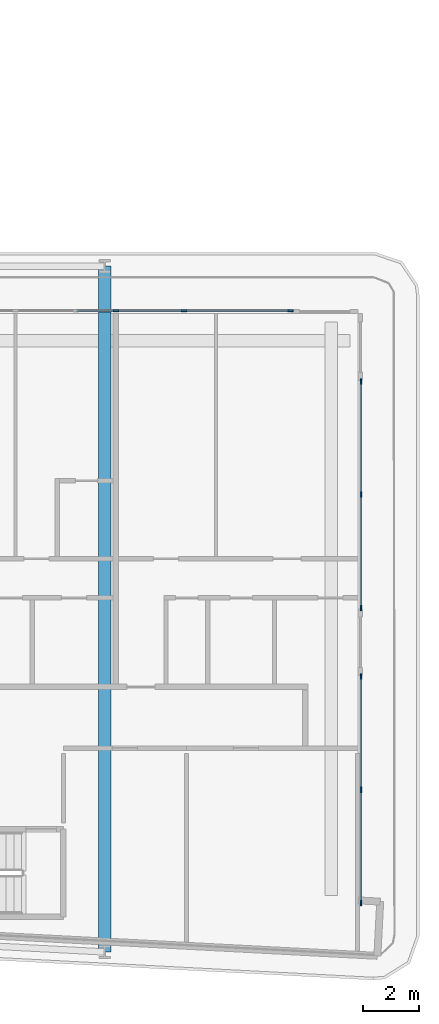
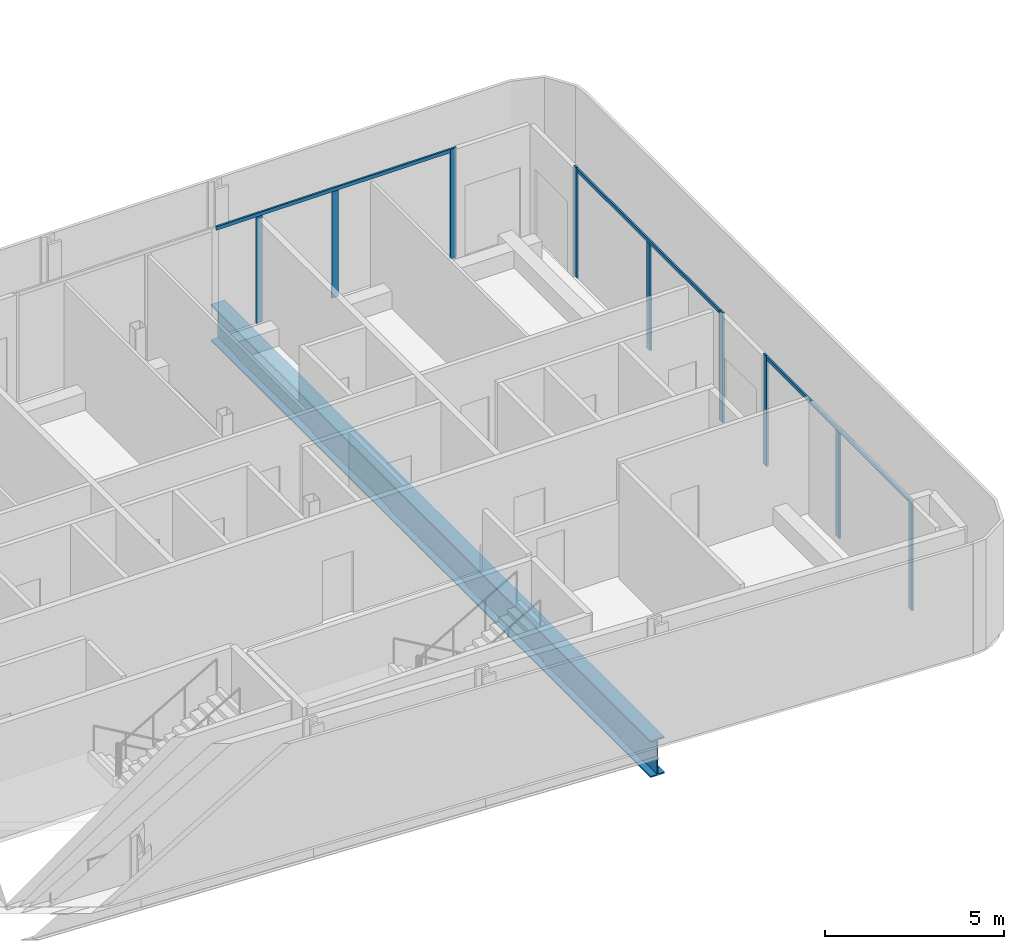
# One storey, part 8 of 28: 12 members, 1 beam, 3 elements without a shape of their own.
"""IFC4 building model written with IfcOpenShell, lengths in metres."""

from ifc_helpers import new_model, si_unit, direction, frame, origin, origin_2d, place, context, subcontext, project, spatial, rectangle, i_section, extrude, material, layer, layer_set, material_profile, profile_set, type_object, element, aggregate, save


model = new_model("IFC4")

# Units and contexts
model_context = context("Model", 3, precision=1e-05, world=origin(), true_north=direction((0.0, 1.0)))
body_context = subcontext(model_context, "Body", "Model", "MODEL_VIEW")
ifc_project = project(units=[si_unit("LENGTHUNIT", "METRE"), si_unit("AREAUNIT", "SQUARE_METRE"), si_unit("VOLUMEUNIT", "CUBIC_METRE"), si_unit("PLANEANGLEUNIT", "RADIAN"), si_unit("MASSUNIT", "GRAM", prefix="KILO")], contexts=[model_context])

# Site, building, storey
site_placement = place(None, origin())
site = spatial("IfcSite", under=ifc_project, at=site_placement, CompositionType="ELEMENT")
building_placement = place(site_placement, origin())
building = spatial("IfcBuilding", under=site, at=building_placement, Name="Kheshtan School and Residences Tower", CompositionType="ELEMENT")
storey_placement = place(building_placement, frame((0.0, 0.0, 73.39990234375)))
storey = spatial("IfcBuildingStorey", under=building, at=storey_placement, Name="L17", CompositionType="ELEMENT", Elevation=73.39990234375)

# Curtain wall, members
ifc_material_1 = material(Name="Clear low-e glass in thermally broken aluminium frame", Category="aluminium")
ifc_layer = layer(ifc_material_1, 0.199951171875)
ifc_layer_set = layer_set([ifc_layer], Name="Curtain wall CW-L")
curtain_wall_type = type_object("IfcCurtainWallType", Name="Curtain wall CW-L", PredefinedType="NOTDEFINED", material=ifc_layer_set)
curtain_wall_1_placement = place(storey_placement, origin())
curtain_wall_1 = element("IfcCurtainWall", 1, at=curtain_wall_1_placement, inside=storey, type_object=curtain_wall_type, Name="Curtain wall CWL12k", PredefinedType="NOTDEFINED")
ifc_material_2 = material(Name="Thermally broken aluminium, dark bronze anodised", Category="aluminium")
ifc_material_profile_1 = material_profile(ifc_material_2, rectangle(XDim=0.06005859375, YDim=0.199951171875, at=origin_2d()), Name="CW-L mullion 60x200")
ifc_profile_set_1 = profile_set([ifc_material_profile_1], Name="Thermally broken aluminium, dark bronze anodised")
member_type_1 = type_object("IfcMemberType", Name="CW-L mullion 60x200", PredefinedType="MULLION", material=ifc_profile_set_1)
member_1_placement = place(storey_placement, frame((91.199951171875, 44.0, 0.0), z_axis=(0.0, 0.0, 1.0), x_axis=(0.0, 1.0, 0.0)))
member_1 = element("IfcMember", 2, at=member_1_placement, type_object=member_type_1, Name="CWL12k mullion 2", PredefinedType="MULLION", context=body_context, shape_type="SweptSolid", body=[
    extrude(rectangle(XDim=0.06005859375, YDim=0.199951171875, at=origin_2d()), origin(), (0.0, 0.0, 1.0), 3.630126953125),
])
member_2_placement = place(storey_placement, frame((93.653076171875, 44.0, 0.0), z_axis=(0.0, 0.0, 1.0), x_axis=(0.0, 1.0, 0.0)))
member_2 = element("IfcMember", 3, at=member_2_placement, type_object=member_type_1, Name="CWL12k mullion 3", PredefinedType="MULLION", context=body_context, shape_type="SweptSolid", body=[
    extrude(rectangle(XDim=0.06005859375, YDim=0.199951171875, at=origin_2d()), origin(), (0.0, 0.0, 1.0), 3.630126953125),
])
member_3_placement = place(storey_placement, frame((97.469970703125, 44.0, 0.0), z_axis=(0.0, 0.0, 1.0), x_axis=(0.0, 1.0, 0.0)))
member_3 = element("IfcMember", 4, at=member_3_placement, type_object=member_type_1, Name="CWL12k mullion 4", PredefinedType="MULLION", context=body_context, shape_type="SweptSolid", body=[
    extrude(rectangle(XDim=0.06005859375, YDim=0.199951171875, at=origin_2d()), origin(), (0.0, 0.0, 1.0), 3.75),
])

curtain_wall_2_placement = place(storey_placement, origin())
curtain_wall_2 = element("IfcCurtainWall", 5, at=curtain_wall_2_placement, inside=storey, type_object=curtain_wall_type, Name="Curtain wall CWL13b", PredefinedType="NOTDEFINED")
member_4_placement = place(storey_placement, frame((100.0, 41.469970703125, 0.0), z_axis=(0.0, 0.0, 1.0), x_axis=(1.0, 0.0, 0.0)))
member_4 = element("IfcMember", 6, at=member_4_placement, type_object=member_type_1, Name="CWL13b mullion 1", PredefinedType="MULLION", context=body_context, shape_type="SweptSolid", body=[
    extrude(rectangle(XDim=0.06005859375, YDim=0.199951171875, at=origin_2d()), origin(), (0.0, 0.0, 1.0), 3.75),
])
member_5_placement = place(storey_placement, frame((100.0, 37.403564453125, 0.0), z_axis=(0.0, 0.0, 1.0), x_axis=(1.0, 0.0, 0.0)))
member_5 = element("IfcMember", 7, at=member_5_placement, type_object=member_type_1, Name="CWL13b mullion 2", PredefinedType="MULLION", context=body_context, shape_type="SweptSolid", body=[
    extrude(rectangle(XDim=0.06005859375, YDim=0.199951171875, at=origin_2d()), origin(), (0.0, 0.0, 1.0), 3.630126953125),
])
member_6_placement = place(storey_placement, frame((100.0, 33.3369140625, 0.0), z_axis=(0.0, 0.0, 1.0), x_axis=(1.0, 0.0, 0.0)))
member_6 = element("IfcMember", 8, at=member_6_placement, type_object=member_type_1, Name="CWL13b mullion 3", PredefinedType="MULLION", context=body_context, shape_type="SweptSolid", body=[
    extrude(rectangle(XDim=0.06005859375, YDim=0.199951171875, at=origin_2d()), origin(), (0.0, 0.0, 1.0), 3.75),
])

curtain_wall_3_placement = place(storey_placement, origin())
curtain_wall_3 = element("IfcCurtainWall", 9, at=curtain_wall_3_placement, inside=storey, type_object=curtain_wall_type, Name="Curtain wall CWL13b", PredefinedType="NOTDEFINED")
member_7_placement = place(storey_placement, frame((100.0, 30.876953125, 0.0), z_axis=(0.0, 0.0, 1.0), x_axis=(1.0, 0.0, 0.0)))
member_7 = element("IfcMember", 10, at=member_7_placement, type_object=member_type_1, Name="CWL13b mullion 1", PredefinedType="MULLION", context=body_context, shape_type="SweptSolid", body=[
    extrude(rectangle(XDim=0.06005859375, YDim=0.199951171875, at=origin_2d()), origin(), (0.0, 0.0, 1.0), 3.75),
])
member_8_placement = place(storey_placement, frame((100.0, 26.810546875, 0.0), z_axis=(0.0, 0.0, 1.0), x_axis=(1.0, 0.0, 0.0)))
member_8 = element("IfcMember", 11, at=member_8_placement, type_object=member_type_1, Name="CWL13b mullion 2", PredefinedType="MULLION", context=body_context, shape_type="SweptSolid", body=[
    extrude(rectangle(XDim=0.06005859375, YDim=0.199951171875, at=origin_2d()), origin(), (0.0, 0.0, 1.0), 3.630126953125),
])
member_9_placement = place(storey_placement, frame((100.0, 22.743896484375, 0.0), z_axis=(0.0, 0.0, 1.0), x_axis=(1.0, 0.0, 0.0)))
member_9 = element("IfcMember", 12, at=member_9_placement, type_object=member_type_1, Name="CWL13b mullion 3", PredefinedType="MULLION", context=body_context, shape_type="SweptSolid", body=[
    extrude(rectangle(XDim=0.06005859375, YDim=0.199951171875, at=origin_2d()), origin(), (0.0, 0.0, 1.0), 3.75),
])

# Member
ifc_material_profile_2 = material_profile(ifc_material_2, rectangle(XDim=0.06005859375, YDim=0.1201171875, at=origin_2d()), Name="CW-L transom 60x120")
ifc_profile_set_2 = profile_set([ifc_material_profile_2], Name="Thermally broken aluminium, dark bronze anodised")
member_type_2 = type_object("IfcMemberType", Name="CW-L transom 60x120", PredefinedType="USERDEFINED", material=ifc_profile_set_2)
member_10_placement = place(storey_placement, frame((89.805908203125, 44.0, 3.690185546875), z_axis=(1.0, 0.0, 0.0), x_axis=(0.0, 1.0, 0.0)))
member_10 = element("IfcMember", 13, at=member_10_placement, type_object=member_type_2, Name="CWL12k transom 1", ObjectType="TRANSOM", PredefinedType="USERDEFINED", context=body_context, shape_type="SweptSolid", body=[
    extrude(rectangle(XDim=0.06005859375, YDim=0.1201171875, at=origin_2d()), origin(), (0.0, 0.0, 1.0), 7.634033203125),
])

aggregate(curtain_wall_1, [member_1, member_2, member_3, member_10])

member_11_placement = place(storey_placement, frame((100.0, 41.43994140625, 3.690185546875), z_axis=(0.0, -1.0, 0.0), x_axis=(1.0, 0.0, 0.0)))
member_11 = element("IfcMember", 14, at=member_11_placement, type_object=member_type_2, Name="CWL13b transom 1", ObjectType="TRANSOM", PredefinedType="USERDEFINED", context=body_context, shape_type="SweptSolid", body=[
    extrude(rectangle(XDim=0.06005859375, YDim=0.1201171875, at=origin_2d()), origin(), (0.0, 0.0, 1.0), 8.072998046875),
])

aggregate(curtain_wall_2, [member_4, member_5, member_6, member_11])

member_12_placement = place(storey_placement, frame((100.0, 30.846923828125, 3.690185546875), z_axis=(0.0, -1.0, 0.0), x_axis=(1.0, 0.0, 0.0)))
member_12 = element("IfcMember", 15, at=member_12_placement, type_object=member_type_2, Name="CWL13b transom 1", ObjectType="TRANSOM", PredefinedType="USERDEFINED", context=body_context, shape_type="SweptSolid", body=[
    extrude(rectangle(XDim=0.06005859375, YDim=0.1201171875, at=origin_2d()), origin(), (0.0, 0.0, 1.0), 8.072998046875),
])

aggregate(curtain_wall_3, [member_7, member_8, member_9, member_12])

# Beam
ifc_material_3 = material(Name="Steel ASTM A992 Grade 50", Category="steel")
ifc_material_profile_3 = material_profile(ifc_material_3, i_section(OverallWidth=0.449951171875, OverallDepth=1.25, WebThickness=0.02490234375, FlangeThickness=0.044921875, FilletRadius=0.03759765625, at=origin_2d()), Name="WWF1250x546")
ifc_profile_set_3 = profile_set([ifc_material_profile_3], Name="Steel ASTM A992 Grade 50")
beam_type = type_object("IfcBeamType", Name="Transfer girder TG4 WWF1250x546 ASTM A992 Grade 50", PredefinedType="BEAM", material=ifc_profile_set_3)
beam_placement = place(storey_placement, frame((90.800048828125, 45.60009765625, -0.77490234375), z_axis=(0.0, -1.0, 0.0), x_axis=(1.0, 0.0, 0.0)))
element("IfcBeam", 16, at=beam_placement, inside=storey, type_object=beam_type, Name="Transfer girder C068-C006", PredefinedType="BEAM", context=body_context, shape_type="SweptSolid", body=[
    extrude(i_section(OverallWidth=0.449951171875, OverallDepth=1.25, WebThickness=0.02490234375, FlangeThickness=0.044921875, FilletRadius=0.03759765625, at=origin_2d()), origin(), (0.0, 0.0, 1.0), 24.610107421875),
])

save(model, "model.ifc")
